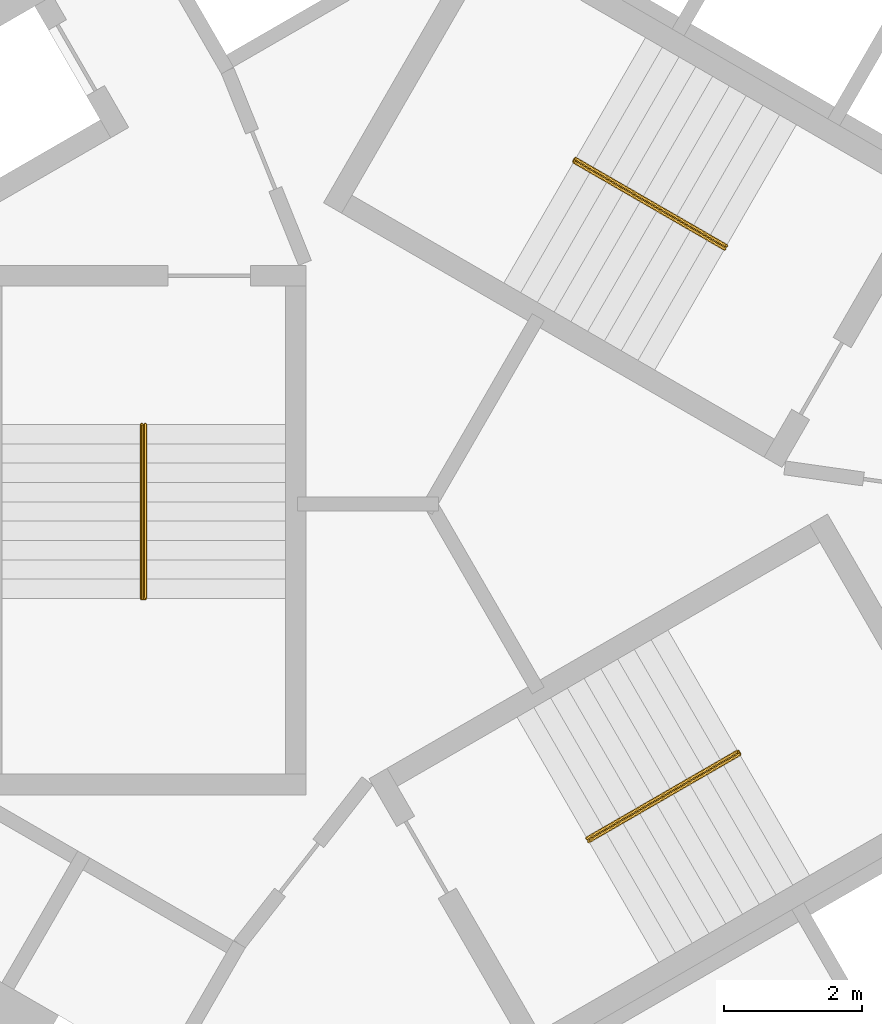
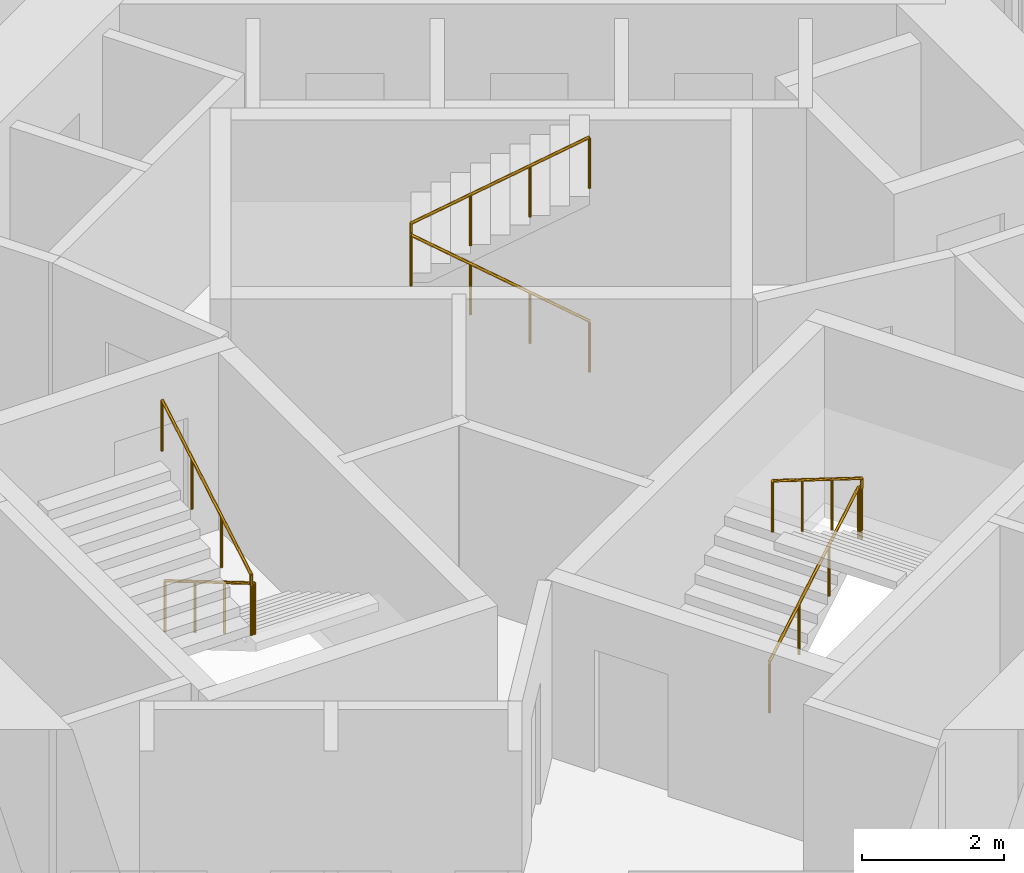
# One storey, part 12 of 12: 3 railings.
"""IFC4 building model written with IfcOpenShell, lengths in metres."""

from ifc_helpers import new_model, si_unit, direction, frame, origin, origin_2d, place, context, subcontext, project, spatial, circle, extrude, material, type_object, element, save


model = new_model("IFC4")

# Units and contexts
model_context = context("Model", 3, precision=1e-05, world=origin(), true_north=direction((0.0, 1.0)))
body_context = subcontext(model_context, "Body", "Model", "MODEL_VIEW")
ifc_project = project(units=[si_unit("LENGTHUNIT", "METRE"), si_unit("AREAUNIT", "SQUARE_METRE"), si_unit("VOLUMEUNIT", "CUBIC_METRE"), si_unit("PLANEANGLEUNIT", "RADIAN"), si_unit("MASSUNIT", "GRAM", prefix="KILO")], contexts=[model_context])

# Site, building, storey
site_placement = place(None, origin())
site = spatial("IfcSite", under=ifc_project, at=site_placement, CompositionType="ELEMENT")
building_placement = place(site_placement, origin())
building = spatial("IfcBuilding", under=site, at=building_placement, Name="Vanh Sen Convention Tower", CompositionType="ELEMENT")
storey_placement = place(building_placement, frame((0.0, 0.0, 110.0)))
storey = spatial("IfcBuildingStorey", under=building, at=storey_placement, Name="L26", CompositionType="ELEMENT", Elevation=110.0)

# Railings
ifc_material = material(Name="Stainless steel handrail", Category="steel")
railing_type = type_object("IfcRailingType", Name="Stair handrail 900", PredefinedType="HANDRAIL", material=ifc_material)
railing_1_placement = place(storey_placement, frame((3.45849609375, 3.690185546875, 0.1650390625)))
element("IfcRailing", 1, at=railing_1_placement, inside=storey, type_object=railing_type, Name="Stair handrail ST1 L26", PredefinedType="HANDRAIL", context=body_context, shape_type="SweptSolid", body=[
    extrude(circle(Radius=0.02392578125, at=origin_2d()), frame((0.0, 0.0, 0.8759765625), z_axis=(-0.746166161147, 0.430756550076, 0.507626688154), x_axis=(-0.499962843328, -0.866046855136, 0.0)), (0.0, 0.0, 1.0), 2.925048828125),
    extrude(circle(Radius=0.02392578125, at=origin_2d()), frame((-2.1826171875, 1.260009765625, 2.36083984375), z_axis=(0.502959906984, 0.86430974307, 0.0), x_axis=(-0.86430974307, 0.502959906984, 0.0)), (0.0, 0.0, 1.0), 0.050048828125),
    extrude(circle(Radius=0.02392578125, at=origin_2d()), frame((-2.157470703125, 1.30322265625, 2.36083984375), z_axis=(0.0, 0.0, 1.0), x_axis=(1.0, 0.0, 0.0)), (0.0, 0.0, 1.0), 0.1650390625),
    extrude(circle(Radius=0.02392578125, at=origin_2d()), frame((-2.157470703125, 1.30322265625, 2.52587890625), z_axis=(0.746097546679, -0.430765123438, 0.507720256902), x_axis=(0.500004791531, 0.866022637375, 0.0)), (0.0, 0.0, 1.0), 2.925048828125),
    extrude(circle(Radius=0.02099609375, at=origin_2d()), origin(), (0.0, 0.0, 1.0), 0.851806640625),
    extrude(circle(Radius=0.02099609375, at=origin_2d()), frame((-0.7275390625, 0.419921875, 0.494873046875)), (0.0, 0.0, 1.0), 0.851806640625),
    extrude(circle(Radius=0.02099609375, at=origin_2d()), frame((-1.455078125, 0.840087890625, 0.989990234375)), (0.0, 0.0, 1.0), 0.851806640625),
    extrude(circle(Radius=0.02099609375, at=origin_2d()), frame((-2.1826171875, 1.260009765625, 1.48486328125)), (0.0, 0.0, 1.0), 0.851806640625),
    extrude(circle(Radius=0.02099609375, at=origin_2d()), frame((-2.157470703125, 1.30322265625, 1.48486328125)), (0.0, 0.0, 1.0), 0.851806640625),
    extrude(circle(Radius=0.02099609375, at=origin_2d()), frame((-2.157470703125, 1.30322265625, 1.64990234375)), (0.0, 0.0, 1.0), 0.851806640625),
    extrude(circle(Radius=0.02099609375, at=origin_2d()), frame((-1.429931640625, 0.88330078125, 2.14501953125)), (0.0, 0.0, 1.0), 0.851806640625),
    extrude(circle(Radius=0.02099609375, at=origin_2d()), frame((-0.70263671875, 0.463134765625, 2.639892578125)), (0.0, 0.0, 1.0), 0.851806640625),
    extrude(circle(Radius=0.02099609375, at=origin_2d()), frame((0.02490234375, 0.043212890625, 3.135009765625)), (0.0, 0.0, 1.0), 0.851806640625),
])
railing_2_placement = place(storey_placement, frame((-4.925048828125, 1.14990234375, 0.1650390625)))
element("IfcRailing", 2, at=railing_2_placement, inside=storey, type_object=railing_type, Name="Stair handrail ST2 L26", PredefinedType="HANDRAIL", context=body_context, shape_type="SweptSolid", body=[
    extrude(circle(Radius=0.02392578125, at=origin_2d()), frame((0.0, 0.0, 0.8759765625), z_axis=(0.0, -0.861560626758, 0.507654692109), x_axis=(1.0, 0.0, 0.0)), (0.0, 0.0, 1.0), 2.925048828125),
    extrude(circle(Radius=0.02392578125, at=origin_2d()), frame((0.0, -2.52001953125, 2.36083984375), z_axis=(-1.0, 0.0, 0.0), x_axis=(0.0, -1.0, 0.0)), (0.0, 0.0, 1.0), 0.050048828125),
    extrude(circle(Radius=0.02392578125, at=origin_2d()), frame((-0.050048828125, -2.52001953125, 2.36083984375), z_axis=(0.0, 0.0, 1.0), x_axis=(1.0, 0.0, 0.0)), (0.0, 0.0, 1.0), 0.1650390625),
    extrude(circle(Radius=0.02392578125, at=origin_2d()), frame((-0.050048828125, -2.52001953125, 2.52587890625), z_axis=(0.0, 0.86152411907, 0.507716645641), x_axis=(-1.0, 0.0, 0.0)), (0.0, 0.0, 1.0), 2.925048828125),
    extrude(circle(Radius=0.02099609375, at=origin_2d()), origin(), (0.0, 0.0, 1.0), 0.851806640625),
    extrude(circle(Radius=0.02099609375, at=origin_2d()), frame((0.0, -0.840087890625, 0.494873046875)), (0.0, 0.0, 1.0), 0.851806640625),
    extrude(circle(Radius=0.02099609375, at=origin_2d()), frame((0.0, -1.679931640625, 0.989990234375)), (0.0, 0.0, 1.0), 0.851806640625),
    extrude(circle(Radius=0.02099609375, at=origin_2d()), frame((0.0, -2.52001953125, 1.48486328125)), (0.0, 0.0, 1.0), 0.851806640625),
    extrude(circle(Radius=0.02099609375, at=origin_2d()), frame((-0.050048828125, -2.52001953125, 1.48486328125)), (0.0, 0.0, 1.0), 0.851806640625),
    extrude(circle(Radius=0.02099609375, at=origin_2d()), frame((-0.050048828125, -2.52001953125, 1.64990234375)), (0.0, 0.0, 1.0), 0.851806640625),
    extrude(circle(Radius=0.02099609375, at=origin_2d()), frame((-0.050048828125, -1.679931640625, 2.14501953125)), (0.0, 0.0, 1.0), 0.851806640625),
    extrude(circle(Radius=0.02099609375, at=origin_2d()), frame((-0.050048828125, -0.840087890625, 2.639892578125)), (0.0, 0.0, 1.0), 0.851806640625),
    extrude(circle(Radius=0.02099609375, at=origin_2d()), frame((-0.050048828125, 0.0, 3.135009765625)), (0.0, 0.0, 1.0), 0.851806640625),
])
railing_3_placement = place(storey_placement, frame((1.466552734375, -4.840087890625, 0.1650390625)))
element("IfcRailing", 3, at=railing_3_placement, inside=storey, type_object=railing_type, Name="Stair handrail ST3 L26", PredefinedType="HANDRAIL", context=body_context, shape_type="SweptSolid", body=[
    extrude(circle(Radius=0.02392578125, at=origin_2d()), frame((0.0, 0.0, 0.8759765625), z_axis=(0.746129163535, 0.430783377672, 0.507658303235), x_axis=(-0.500004791531, 0.866022637375, 0.0)), (0.0, 0.0, 1.0), 2.9248046875),
    extrude(circle(Radius=0.02392578125, at=origin_2d()), frame((2.182373046875, 1.260009765625, 2.36083984375), z_axis=(0.500844580232, -0.86553723574, 0.0), x_axis=(0.86553723574, 0.500844580232, 0.0)), (0.0, 0.0, 1.0), 0.05029296875),
    extrude(circle(Radius=0.02392578125, at=origin_2d()), frame((2.20751953125, 1.216552734375, 2.36083984375), z_axis=(0.0, 0.0, 1.0), x_axis=(1.0, 0.0, 0.0)), (0.0, 0.0, 1.0), 0.1650390625),
    extrude(circle(Radius=0.02392578125, at=origin_2d()), frame((2.20751953125, 1.216552734375, 2.52587890625), z_axis=(-0.746097546679, -0.430765123438, 0.507720256902), x_axis=(0.500004791531, -0.866022637375, 0.0)), (0.0, 0.0, 1.0), 2.925048828125),
    extrude(circle(Radius=0.02099609375, at=origin_2d()), origin(), (0.0, 0.0, 1.0), 0.851806640625),
    extrude(circle(Radius=0.02099609375, at=origin_2d()), frame((0.7275390625, 0.419921875, 0.494873046875)), (0.0, 0.0, 1.0), 0.851806640625),
    extrude(circle(Radius=0.02099609375, at=origin_2d()), frame((1.454833984375, 0.840087890625, 0.989990234375)), (0.0, 0.0, 1.0), 0.851806640625),
    extrude(circle(Radius=0.02099609375, at=origin_2d()), frame((2.182373046875, 1.260009765625, 1.48486328125)), (0.0, 0.0, 1.0), 0.851806640625),
    extrude(circle(Radius=0.02099609375, at=origin_2d()), frame((2.20751953125, 1.216552734375, 1.48486328125)), (0.0, 0.0, 1.0), 0.851806640625),
    extrude(circle(Radius=0.02099609375, at=origin_2d()), frame((2.20751953125, 1.216552734375, 1.64990234375)), (0.0, 0.0, 1.0), 0.851806640625),
    extrude(circle(Radius=0.02099609375, at=origin_2d()), frame((1.47998046875, 0.796630859375, 2.14501953125)), (0.0, 0.0, 1.0), 0.851806640625),
    extrude(circle(Radius=0.02099609375, at=origin_2d()), frame((0.752685546875, 0.37646484375, 2.639892578125)), (0.0, 0.0, 1.0), 0.851806640625),
    extrude(circle(Radius=0.02099609375, at=origin_2d()), frame((0.025146484375, -0.04345703125, 3.135009765625)), (0.0, 0.0, 1.0), 0.851806640625),
])

save(model, "model.ifc")
